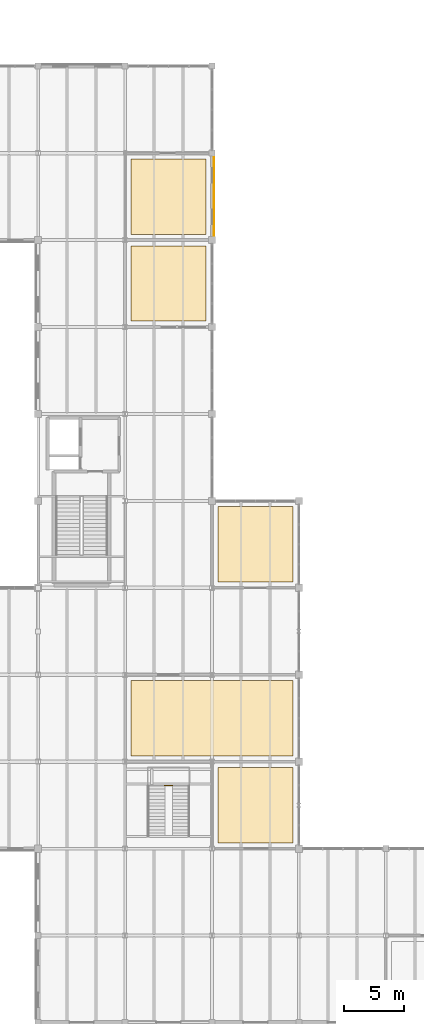
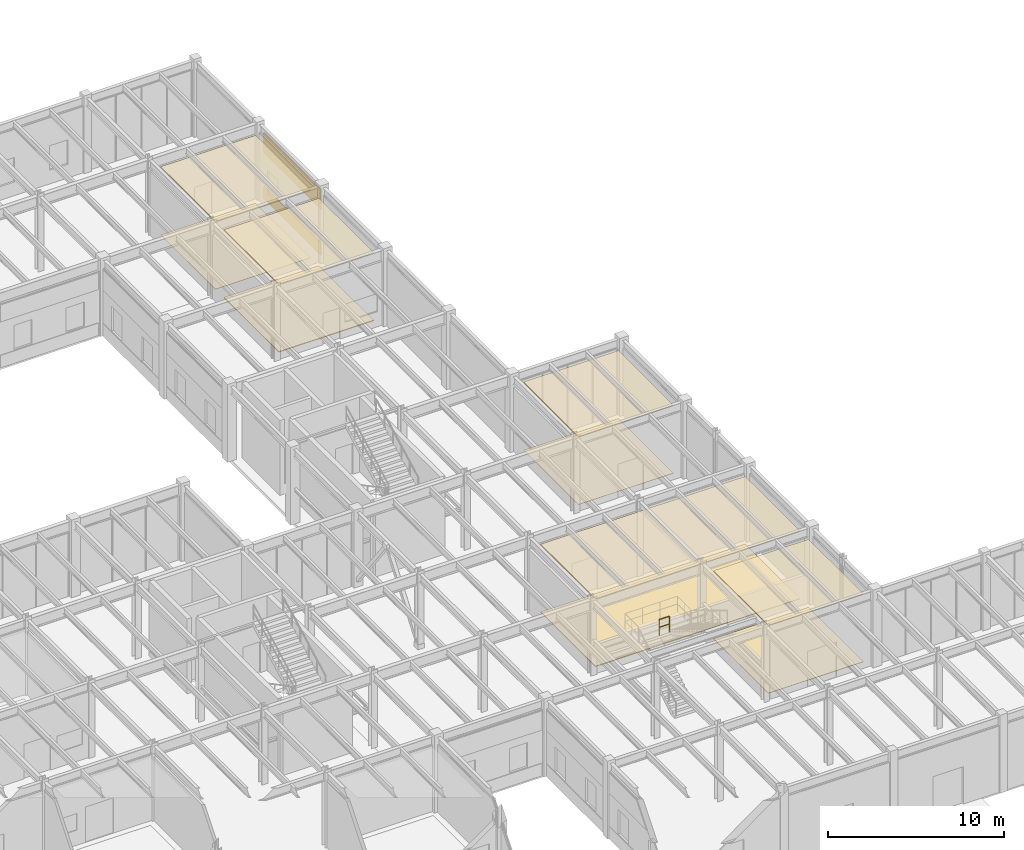
# One storey, part 97 of 97: 12 coverings, 1 railing.
"""IFC4 building model written with IfcOpenShell, lengths in metres."""

from ifc_helpers import new_model, si_unit, direction, frame, frame_2d, origin, origin_2d, place, context, subcontext, project, spatial, polyline, rectangle, circle, outline, extrude, material, layer, layer_set, type_object, element, save


model = new_model("IFC4")

# Units and contexts
model_context = context("Model", 3, precision=1e-05, world=origin(), true_north=direction((0.0, 1.0)))
body_context = subcontext(model_context, "Body", "Model", "MODEL_VIEW")
ifc_project = project(units=[si_unit("LENGTHUNIT", "METRE"), si_unit("AREAUNIT", "SQUARE_METRE"), si_unit("VOLUMEUNIT", "CUBIC_METRE"), si_unit("PLANEANGLEUNIT", "RADIAN"), si_unit("MASSUNIT", "GRAM", prefix="KILO")], contexts=[model_context])

# Site, building, storey
site_placement = place(None, origin())
site = spatial("IfcSite", under=ifc_project, at=site_placement, CompositionType="ELEMENT")
building_placement = place(site_placement, origin())
building = spatial("IfcBuilding", under=site, at=building_placement, Name="Sillqori Civic Hall", CompositionType="ELEMENT")
storey_placement = place(building_placement, origin())
storey = spatial("IfcBuildingStorey", under=building, at=storey_placement, Name="L01", CompositionType="ELEMENT", Elevation=0.0)

# Coverings
ifc_material_1 = material(Name="Perforated Metal Coffer Panel 64", Category="aluminium")
ifc_layer_1 = layer(ifc_material_1, 0.06396484375)
ifc_layer_set_1 = layer_set([ifc_layer_1], Name="Perforated Metal Coffer Panel 64")
covering_type_1 = type_object("IfcCoveringType", Name="COV-CEIL-M64", PredefinedType="CEILING", material=ifc_layer_set_1)
covering_1_placement = place(storey_placement, frame((0.0, 0.0, 4.68603515625)))
element("IfcCovering", 1, at=covering_1_placement, inside=storey, type_object=covering_type_1, Name="Public Local History Exhibition Room acoustic ceiling", PredefinedType="CEILING", context=body_context, shape_type="SweptSolid", body=[
    extrude(outline(polyline([(137.280029296875, 29.280029296875), (143.52001953125, 29.280029296875), (143.52001953125, 35.52001953125), (137.280029296875, 35.52001953125), (137.280029296875, 29.280029296875)])), origin(), (0.0, 0.0, 1.0), 0.06396484375),
])
ifc_material_2 = material(Name="Perforated Metal Coffer Panel 70", Category="aluminium")
ifc_layer_2 = layer(ifc_material_2, 0.070068359375)
ifc_layer_set_2 = layer_set([ifc_layer_2], Name="Perforated Metal Coffer Panel 70")
covering_type_2 = type_object("IfcCoveringType", Name="COV-CEIL-M70", PredefinedType="CEILING", material=ifc_layer_set_2)
covering_2_placement = place(storey_placement, frame((0.0, 0.0, 4.679931640625)))
element("IfcCovering", 2, at=covering_2_placement, inside=storey, type_object=covering_type_2, Name="Municipal Gazetteer Reference Desk acoustic ceiling", PredefinedType="CEILING", context=body_context, shape_type="SweptSolid", body=[
    extrude(outline(polyline([(137.280029296875, 50.8798828125), (143.52001953125, 50.8798828125), (143.52001953125, 57.1201171875), (137.280029296875, 57.1201171875), (137.280029296875, 50.8798828125)])), origin(), (0.0, 0.0, 1.0), 0.070068359375),
])
ifc_material_3 = material(Name="Andean Cedar Slatted Baffle 46", Category="timber")
ifc_layer_3 = layer(ifc_material_3, 0.0458984375)
ifc_layer_set_3 = layer_set([ifc_layer_3], Name="Andean Cedar Slatted Baffle 46")
covering_type_3 = type_object("IfcCoveringType", Name="COV-CEIL-T46", PredefinedType="CEILING", material=ifc_layer_set_3)
covering_3_placement = place(storey_placement, frame((0.0, 0.0, 4.7041015625)))
element("IfcCovering", 3, at=covering_3_placement, inside=storey, type_object=covering_type_3, Name="Members Library Ground Periodicals Reading Room acoustic ceiling", PredefinedType="CEILING", context=body_context, shape_type="SweptSolid", body=[
    extrude(outline(polyline([(130.080078125, 36.47998046875), (143.52001953125, 36.47998046875), (143.52001953125, 42.719970703125), (130.080078125, 42.719970703125), (130.080078125, 36.47998046875)])), origin(), (0.0, 0.0, 1.0), 0.0458984375),
])
ifc_material_4 = material(Name="Andean Cedar Slatted Baffle 52", Category="timber")
ifc_layer_4 = layer(ifc_material_4, 0.052001953125)
ifc_layer_set_4 = layer_set([ifc_layer_4], Name="Andean Cedar Slatted Baffle 52")
covering_type_4 = type_object("IfcCoveringType", Name="COV-CEIL-T52", PredefinedType="CEILING", material=ifc_layer_set_4)
covering_4_placement = place(storey_placement, frame((0.0, 0.0, 4.697998046875)))
element("IfcCovering", 4, at=covering_4_placement, inside=storey, type_object=covering_type_4, Name="Library Acquisitions and Cataloguing Workroom acoustic ceiling", PredefinedType="CEILING", context=body_context, shape_type="SweptSolid", body=[
    extrude(outline(polyline([(130.080078125, 72.47998046875), (136.320068359375, 72.47998046875), (136.320068359375, 78.719970703125), (130.080078125, 78.719970703125), (130.080078125, 72.47998046875)])), origin(), (0.0, 0.0, 1.0), 0.052001953125),
])
ifc_material_5 = material(Name="Andean Cedar Deep Baffle 58", Category="timber")
ifc_layer_5 = layer(ifc_material_5, 0.05810546875)
ifc_layer_set_5 = layer_set([ifc_layer_5], Name="Andean Cedar Deep Baffle 58")
covering_type_5 = type_object("IfcCoveringType", Name="COV-CEIL-T58", PredefinedType="CEILING", material=ifc_layer_set_5)
covering_5_placement = place(storey_placement, frame((0.0, 0.0, 4.69189453125)))
element("IfcCovering", 5, at=covering_5_placement, inside=storey, type_object=covering_type_5, Name="Ombudsman Public Consultation Room L01-12 acoustic ceiling", PredefinedType="CEILING", context=body_context, shape_type="SweptSolid", body=[
    extrude(outline(polyline([(130.080078125, 79.679931640625), (136.320068359375, 79.679931640625), (136.320068359375, 85.919921875), (130.080078125, 85.919921875), (130.080078125, 79.679931640625)])), origin(), (0.0, 0.0, 1.0), 0.05810546875),
])
ifc_material_6 = material(Name="Cochabamba Honed Limestone Cladding", Category="masonry")
ifc_layer_6 = layer(ifc_material_6, 0.044921875)
ifc_layer_set_6 = layer_set([ifc_layer_6], Name="Cochabamba Honed Limestone Cladding")
covering_type_6 = type_object("IfcCoveringType", Name="COV-CLAD-LIME", PredefinedType="CLADDING", material=ifc_layer_set_6)
covering_6_placement = place(storey_placement, frame((136.9599609375, 86.070068359375, 0.0400390625), z_axis=(0.0, 0.0, 1.0), x_axis=(0.0, -1.0, 0.0)))
element("IfcCovering", 6, at=covering_6_placement, inside=storey, type_object=covering_type_6, Name="L01 limestone spandrel cladding L01-18-11-E", PredefinedType="CLADDING", context=body_context, shape_type="SweptSolid", body=[
    extrude(rectangle(XDim=6.489990234375, YDim=0.044921875, at=frame_2d((3.2451171875, 0.0))), origin(), (0.0, 0.0, 1.0), 0.85986328125),
])
covering_7_placement = place(storey_placement, frame((136.9599609375, 86.070068359375, 3.219970703125), z_axis=(0.0, 0.0, 1.0), x_axis=(0.0, -1.0, 0.0)))
element("IfcCovering", 7, at=covering_7_placement, inside=storey, type_object=covering_type_6, Name="L01 limestone frieze cladding L01-18-11-E", PredefinedType="CLADDING", context=body_context, shape_type="SweptSolid", body=[
    extrude(rectangle(XDim=6.489990234375, YDim=0.044921875, at=frame_2d((3.2451171875, 0.0))), origin(), (0.0, 0.0, 1.0), 1.406982421875),
])
ifc_material_7 = material(Name="Vitrified Porcelain Tile 18", Category="ceramic")
ifc_layer_7 = layer(ifc_material_7, 0.01806640625)
ifc_layer_set_7 = layer_set([ifc_layer_7], Name="Vitrified Porcelain Tile 18")
covering_type_7 = type_object("IfcCoveringType", Name="COV-FLR-P18", PredefinedType="FLOORING", material=ifc_layer_set_7)
covering_8_placement = place(storey_placement, origin())
element("IfcCovering", 8, at=covering_8_placement, inside=storey, type_object=covering_type_7, Name="Municipal Gazetteer Reference Desk floor finish", PredefinedType="FLOORING", context=body_context, shape_type="SweptSolid", body=[
    extrude(outline(polyline([(137.280029296875, 50.8798828125), (143.52001953125, 50.8798828125), (143.52001953125, 57.1201171875), (137.280029296875, 57.1201171875), (137.280029296875, 50.8798828125)])), origin(), (0.0, 0.0, 1.0), 0.01806640625),
])
ifc_material_8 = material(Name="Thick Ceremonial Limestone Flagstone 50", Category="masonry")
ifc_layer_8 = layer(ifc_material_8, 0.050048828125)
ifc_layer_set_8 = layer_set([ifc_layer_8], Name="Thick Ceremonial Limestone Flagstone 50")
covering_type_8 = type_object("IfcCoveringType", Name="COV-FLR-S50", PredefinedType="FLOORING", material=ifc_layer_set_8)
covering_9_placement = place(storey_placement, origin())
element("IfcCovering", 9, at=covering_9_placement, inside=storey, type_object=covering_type_8, Name="Members Library Ground Periodicals Reading Room floor finish", PredefinedType="FLOORING", context=body_context, shape_type="SweptSolid", body=[
    extrude(outline(polyline([(130.080078125, 36.47998046875), (143.52001953125, 36.47998046875), (143.52001953125, 42.719970703125), (130.080078125, 42.719970703125), (130.080078125, 36.47998046875)])), origin(), (0.0, 0.0, 1.0), 0.050048828125),
])
ifc_material_9 = material(Name="Heavy Hall Basalt Terrazzo 56", Category="masonry")
ifc_layer_9 = layer(ifc_material_9, 0.055908203125)
ifc_layer_set_9 = layer_set([ifc_layer_9], Name="Heavy Hall Basalt Terrazzo 56")
covering_type_9 = type_object("IfcCoveringType", Name="COV-FLR-S56", PredefinedType="FLOORING", material=ifc_layer_set_9)
covering_10_placement = place(storey_placement, origin())
element("IfcCovering", 10, at=covering_10_placement, inside=storey, type_object=covering_type_9, Name="Library Acquisitions and Cataloguing Workroom floor finish", PredefinedType="FLOORING", context=body_context, shape_type="SweptSolid", body=[
    extrude(outline(polyline([(130.080078125, 72.47998046875), (136.320068359375, 72.47998046875), (136.320068359375, 78.719970703125), (130.080078125, 78.719970703125), (130.080078125, 72.47998046875)])), origin(), (0.0, 0.0, 1.0), 0.055908203125),
])
ifc_material_10 = material(Name="Tajibo Parquet Strip Flooring 22", Category="timber")
ifc_layer_10 = layer(ifc_material_10, 0.02197265625)
ifc_layer_set_10 = layer_set([ifc_layer_10], Name="Tajibo Parquet Strip Flooring 22")
covering_type_10 = type_object("IfcCoveringType", Name="COV-FLR-T22", PredefinedType="FLOORING", material=ifc_layer_set_10)
covering_11_placement = place(storey_placement, origin())
element("IfcCovering", 11, at=covering_11_placement, inside=storey, type_object=covering_type_10, Name="Ombudsman Public Consultation Room L01-12 floor finish", PredefinedType="FLOORING", context=body_context, shape_type="SweptSolid", body=[
    extrude(outline(polyline([(130.080078125, 79.679931640625), (136.320068359375, 79.679931640625), (136.320068359375, 85.919921875), (130.080078125, 85.919921875), (130.080078125, 79.679931640625)])), origin(), (0.0, 0.0, 1.0), 0.02197265625),
])
ifc_material_11 = material(Name="Acoustic Sprung Timber Flooring 30", Category="wood")
ifc_layer_11 = layer(ifc_material_11, 0.030029296875)
ifc_layer_set_11 = layer_set([ifc_layer_11], Name="Acoustic Sprung Timber Flooring 30")
covering_type_11 = type_object("IfcCoveringType", Name="COV-FLR-T30", PredefinedType="FLOORING", material=ifc_layer_set_11)
covering_12_placement = place(storey_placement, origin())
element("IfcCovering", 12, at=covering_12_placement, inside=storey, type_object=covering_type_11, Name="Public Local History Exhibition Room floor finish", PredefinedType="FLOORING", context=body_context, shape_type="SweptSolid", body=[
    extrude(outline(polyline([(137.280029296875, 29.280029296875), (143.52001953125, 29.280029296875), (143.52001953125, 35.52001953125), (137.280029296875, 35.52001953125), (137.280029296875, 29.280029296875)])), origin(), (0.0, 0.0, 1.0), 0.030029296875),
])

# Railing
ifc_material_12 = material(Name="Stainless Steel 316 and Laminated Balustrade", Category="steel")
ifc_layer_12 = layer(ifc_material_12, 0.06005859375)
ifc_layer_set_12 = layer_set([ifc_layer_12], Name="Stainless Steel 316 and Laminated Balustrade")
railing_type = type_object("IfcRailingType", Name="RLG-TERR-112", PredefinedType="GUARDRAIL", material=ifc_layer_set_12)
railing_placement = place(storey_placement, frame((132.860107421875, 34.0400390625, 2.699951171875)))
element("IfcRailing", 13, at=railing_placement, inside=storey, type_object=railing_type, Name="Members Library Reading Stair L01-L02 half-landing inner well guard", PredefinedType="GUARDRAIL", context=body_context, shape_type="SweptSolid", body=[
    extrude(circle(Radius=0.02392578125, at=origin_2d()), frame((0.0, 0.0, 1.09619140625), z_axis=(1.0, 0.0, 0.0), x_axis=(0.0, 1.0, 0.0)), (0.0, 0.0, 1.0), 0.679931640625),
    extrude(circle(Radius=0.02392578125, at=origin_2d()), frame((0.0, 0.0, 0.56005859375), z_axis=(1.0, 0.0, 0.0), x_axis=(0.0, 1.0, 0.0)), (0.0, 0.0, 1.0), 0.679931640625),
    extrude(circle(Radius=0.02099609375, at=origin_2d()), origin(), (0.0, 0.0, 1.0), 1.072021484375),
    extrude(circle(Radius=0.02099609375, at=origin_2d()), frame((0.679931640625, 0.0, 0.0)), (0.0, 0.0, 1.0), 1.072021484375),
])

save(model, "model.ifc")
